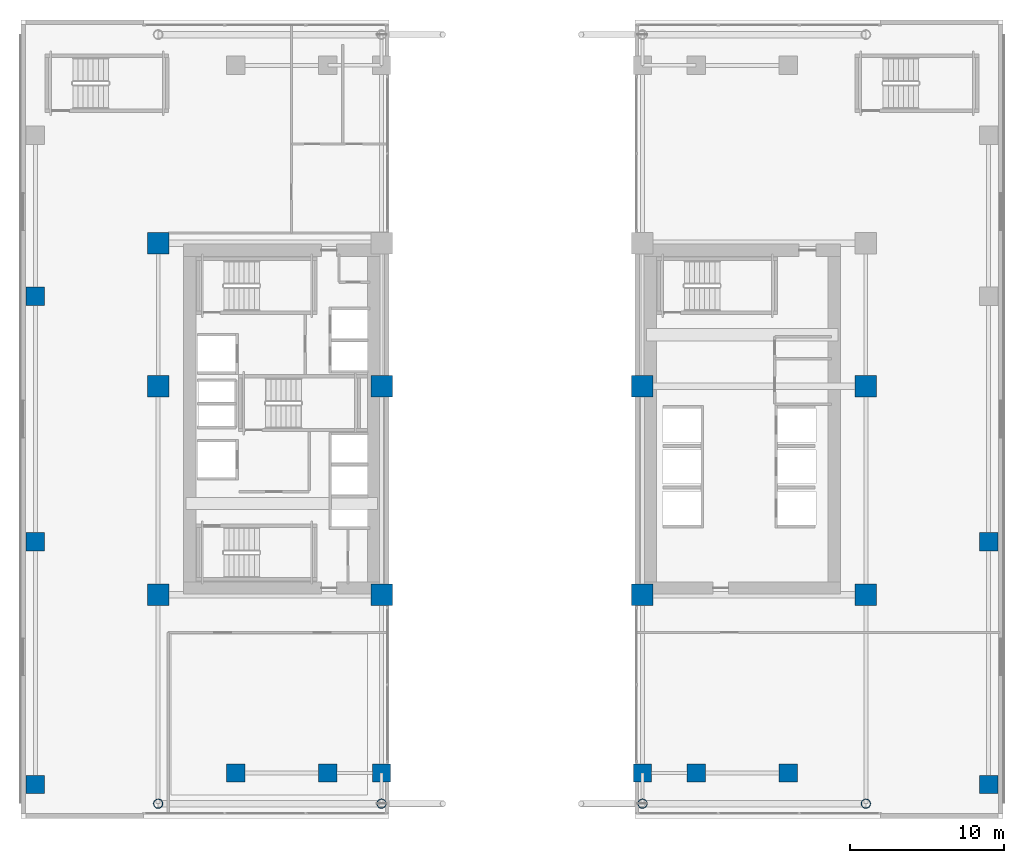
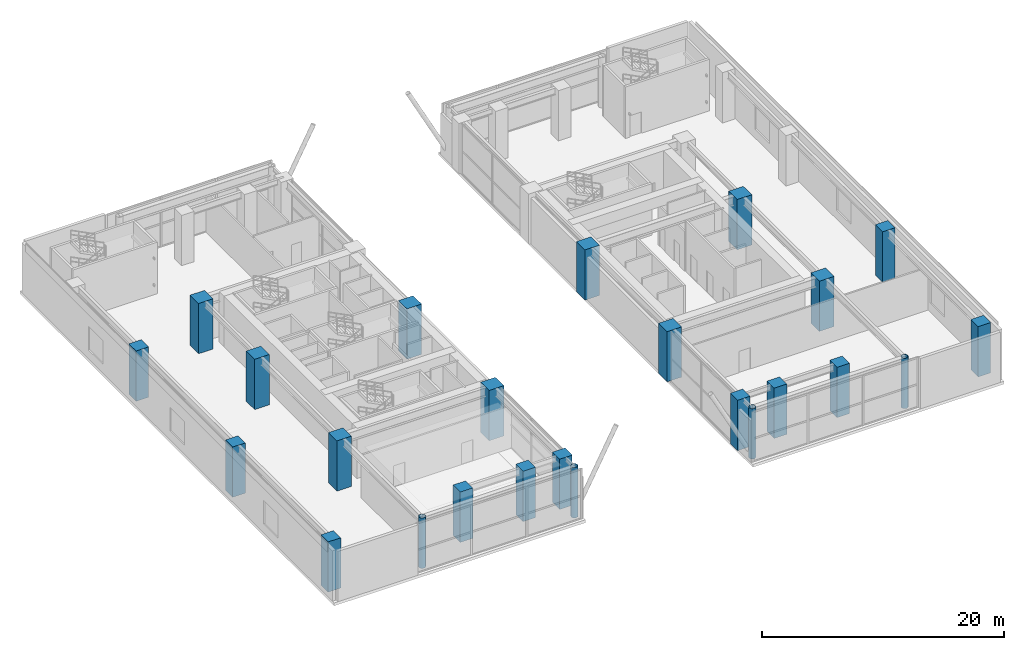
# One storey, part 1 of 29: 24 columns.
"""IFC4 building model written with IfcOpenShell, lengths in metres."""

import ifcopenshell
import ifcopenshell.guid

model = None  # the IFC model being written
_history = None  # IfcOwnerHistory: only IFC2X3 demands one
_inside = {}  # id of a spatial element -> (the spatial element, [elements in it])
_under = {}  # id of a project, library or spatial element -> (it, [spatial elements below it])
_declared = {}  # id of a project -> (the project, [libraries it declares])
_typed = {}  # id of a type object -> (the type object, [elements of that type])
_made_of = {}  # id of a material, layer set ... -> (it, [elements and type objects made of it])


def new_model(schema):
    """Start an empty IFC model of exactly this schema.

    Asked for "IFC4X3", IfcOpenShell would pick the latest addendum, in which some entities
    have other attributes; the version numbers below select the first issue.
    IFC2X3 requires an IfcOwnerHistory on every rooted entity: one is made here for all.
    """
    global model, _history
    if schema == "IFC4X3":
        model = ifcopenshell.file(schema_version=(4, 3, 0, 0))
    else:
        model = ifcopenshell.file(schema=schema)
    _inside.clear()
    _under.clear()
    _declared.clear()
    _typed.clear()
    _made_of.clear()
    _history = None
    if model.schema == "IFC2X3":
        org = make("IfcOrganization", Name="unknown")
        user = make(
            "IfcPersonAndOrganization",
            ThePerson=make("IfcPerson", FamilyName="unknown"),
            TheOrganization=org,
        )
        app = make(
            "IfcApplication",
            ApplicationDeveloper=org,
            Version="unknown",
            ApplicationFullName="unknown",
            ApplicationIdentifier="unknown",
        )
        _history = make(
            "IfcOwnerHistory",
            OwningUser=user,
            OwningApplication=app,
            ChangeAction="ADDED",
            CreationDate=0,
        )
    return model


def make(cls, **values):
    """One entity of the class cls with the attributes given. An attribute that is None is left unset."""
    return model.create_entity(
        cls, **{name: value for name, value in values.items() if value is not None}
    )


def rooted(cls, **values):
    """An entity with a GlobalId (a new one), such as an element, a storey or a relation."""
    return make(cls, GlobalId=ifcopenshell.guid.new(), OwnerHistory=_history, **values)


def si_unit(unit_type, name, prefix=None):
    """IfcSIUnit, for example si_unit("LENGTHUNIT", "METRE", prefix="MILLI")."""
    return make("IfcSIUnit", UnitType=unit_type, Prefix=prefix, Name=name)


def assignment(units):
    """IfcUnitAssignment: the units of a project."""
    return None if units is None else make("IfcUnitAssignment", Units=units)


def point(xyz):
    """IfcCartesianPoint."""
    return None if xyz is None else make("IfcCartesianPoint", Coordinates=xyz)


def direction(xyz):
    """IfcDirection."""
    return None if xyz is None else make("IfcDirection", DirectionRatios=xyz)


def frame(location, z_axis=None, x_axis=None):
    """IfcAxis2Placement3D, a coordinate frame: its origin and axes. An axis left out is left unset."""
    return make(
        "IfcAxis2Placement3D",
        Location=point(location),
        Axis=direction(z_axis),
        RefDirection=direction(x_axis),
    )


def frame_2d(location, x_axis=None):
    """IfcAxis2Placement2D, a coordinate frame in the plane: its origin and x axis."""
    return make(
        "IfcAxis2Placement2D", Location=point(location), RefDirection=direction(x_axis)
    )


def origin():
    """The frame at (0, 0, 0) with its axes left unset."""
    return frame((0.0, 0.0, 0.0))


def origin_2d():
    """The frame at (0, 0) in the plane with its x axis left unset."""
    return frame_2d((0.0, 0.0))


def place(relative_to, where):
    """IfcLocalPlacement: puts the frame where relative to a parent placement (None: the world)."""
    return make(
        "IfcLocalPlacement", PlacementRelTo=relative_to, RelativePlacement=where
    )


def context(
    kind, dimensions, precision=None, world=None, true_north=None, identifier=None
):
    """IfcGeometricRepresentationContext, for example the 3D "Model" context."""
    return make(
        "IfcGeometricRepresentationContext",
        ContextIdentifier=identifier,
        ContextType=kind,
        CoordinateSpaceDimension=dimensions,
        Precision=precision,
        WorldCoordinateSystem=world,
        TrueNorth=true_north,
    )


def subcontext(parent, identifier, kind, view, scale=None):
    """IfcGeometricRepresentationSubContext, for example "Body" below "Model"."""
    return make(
        "IfcGeometricRepresentationSubContext",
        ContextIdentifier=identifier,
        ContextType=kind,
        ParentContext=parent,
        TargetScale=scale,
        TargetView=view,
    )


def project(units=None, contexts=None):
    """IfcProject with its units and contexts."""
    return rooted(
        "IfcProject",
        Name="project",
        RepresentationContexts=contexts,
        UnitsInContext=assignment(units),
    )


def spatial(cls, under=None, at=None, **own):
    """A site, building, storey or space (cls), placed at a placement, below another one or the project."""
    s = rooted(cls, ObjectPlacement=at, **own)
    if under is not None:
        _under.setdefault(under.id(), (under, []))[1].append(s)
    return s


def profile(cls, at=None, kind="AREA", **sizes):
    """A parametric profile (cls). Its sizes go by their IFC names, for example OverallWidth=200.0."""
    return make(cls, ProfileType=kind, Position=at, **sizes)


def rectangle(**sizes):
    """IfcRectangleProfileDef."""
    return profile("IfcRectangleProfileDef", **sizes)


def hollow_circle(**sizes):
    """IfcCircleHollowProfileDef."""
    return profile("IfcCircleHollowProfileDef", **sizes)


def extrude(swept, where, along, depth):
    """IfcExtrudedAreaSolid: the profile swept, set in the frame where, extruded along a direction by depth."""
    return make(
        "IfcExtrudedAreaSolid",
        SweptArea=swept,
        Position=where,
        ExtrudedDirection=direction(along),
        Depth=depth,
    )


def shape(context_of_items, identifier, shape_type, items):
    """IfcShapeRepresentation: the items that make up one representation, for example the "Body"."""
    return make(
        "IfcShapeRepresentation",
        ContextOfItems=context_of_items,
        RepresentationIdentifier=identifier,
        RepresentationType=shape_type,
        Items=items,
    )


def source(mapping_origin, context_of_items, identifier, shape_type, items):
    """IfcRepresentationMap: a shape defined once, which mapped items show again and again."""
    return make(
        "IfcRepresentationMap",
        MappingOrigin=mapping_origin,
        MappedRepresentation=shape(context_of_items, identifier, shape_type, items),
    )


def transform(
    local_origin,
    x_axis=None,
    y_axis=None,
    z_axis=None,
    scale=None,
    scale2=None,
    scale3=None,
    uniform=True,
):
    """IfcCartesianTransformationOperator3D, or its non-uniform kind. x_axis, y_axis, z_axis: its Axis1, 2, 3."""
    if uniform:
        return make(
            "IfcCartesianTransformationOperator3D",
            Axis1=direction(x_axis),
            Axis2=direction(y_axis),
            LocalOrigin=point(local_origin),
            Scale=scale,
            Axis3=direction(z_axis),
        )
    return make(
        "IfcCartesianTransformationOperator3DnonUniform",
        Axis1=direction(x_axis),
        Axis2=direction(y_axis),
        LocalOrigin=point(local_origin),
        Scale=scale,
        Axis3=direction(z_axis),
        Scale2=scale2,
        Scale3=scale3,
    )


def mapped(mapping_source, mapping_target):
    """IfcMappedItem: shows the shape of a source again, moved by a transform."""
    return make(
        "IfcMappedItem", MappingSource=mapping_source, MappingTarget=mapping_target
    )


def material(Name=None, Category=None):
    """IfcMaterial."""
    return make("IfcMaterial", Name=Name, Category=Category)


def material_profile(
    of_material, cross_section, Name=None, Category=None, Priority=None
):
    """IfcMaterialProfile: a cross section and its material."""
    return make(
        "IfcMaterialProfile",
        Name=Name,
        Material=of_material,
        Profile=cross_section,
        Priority=Priority,
        Category=Category,
    )


def profile_set(profiles, Name=None, composite=None):
    """IfcMaterialProfileSet."""
    return make(
        "IfcMaterialProfileSet",
        Name=Name,
        MaterialProfiles=profiles,
        CompositeProfile=composite,
    )


def made_of(thing, what):
    """Note that an element or type object is made of a material, layer set ...; save() writes the relation."""
    if what is not None:
        _made_of.setdefault(what.id(), (what, []))[1].append(thing)
    return thing


def type_object(cls, material=None, **own):
    """A type object (cls), such as IfcWallType, which elements share."""
    return made_of(rooted(cls, **own), material)


def element(
    cls,
    number,
    at=None,
    inside=None,
    cuts=None,
    type_object=None,
    material=None,
    context=None,
    identifier="Body",
    shape_type=None,
    held_by="IfcProductDefinitionShape",
    body=None,
    shapes=None,
    **own,
):
    """One element of the class cls, such as IfcWall. Its Tag is "e" and its number.

    at: its placement. inside: the storey or other place that contains it. cuts: it is an
    opening in that element (IfcRelVoidsElement). A single representation is given by context,
    identifier, shape_type and body (its items); several are given by shapes. held_by: the class
    of the entity that holds the representations. save() writes the other relations.
    """
    e = rooted(cls, Tag="e%d" % number, ObjectPlacement=at, **own)
    if body is not None:
        shapes = [shape(context, identifier, shape_type, body)]
    if shapes is not None:
        e.Representation = make(held_by, Representations=shapes)
    if inside is not None:
        _inside.setdefault(inside.id(), (inside, []))[1].append(e)
    if cuts is not None:
        rooted(
            "IfcRelVoidsElement", RelatingBuildingElement=cuts, RelatedOpeningElement=e
        )
    if type_object is not None:
        _typed.setdefault(type_object.id(), (type_object, []))[1].append(e)
    return made_of(e, material)


def aggregate(whole, parts):
    """IfcRelAggregates: a whole, such as a stair, and the parts it consists of."""
    return rooted("IfcRelAggregates", RelatingObject=whole, RelatedObjects=parts)


def save(model, path):
    """Write the relations noted so far, then the file.

    IfcRelAggregates (storeys below a building ...), IfcRelContainedInSpatialStructure (elements
    in a storey), IfcRelDefinesByType, IfcRelAssociatesMaterial and IfcRelDeclares: one each for
    every whole, place, type object, material and project.
    """
    for whole, parts in _under.values():
        aggregate(whole, parts)
    for where, things in _inside.values():
        rooted(
            "IfcRelContainedInSpatialStructure",
            RelatedElements=things,
            RelatingStructure=where,
        )
    for kind, things in _typed.values():
        rooted("IfcRelDefinesByType", RelatedObjects=things, RelatingType=kind)
    for what, things in _made_of.values():
        rooted("IfcRelAssociatesMaterial", RelatedObjects=things, RelatingMaterial=what)
    for by, libraries in _declared.values():
        rooted("IfcRelDeclares", RelatingContext=by, RelatedDefinitions=libraries)
    model.write(path)


model = new_model("IFC4")

# Units and contexts
model_context = context("Model", 3, precision=1e-05, world=origin(), true_north=direction((0.0, 1.0)))
body_context = subcontext(model_context, "Body", "Model", "MODEL_VIEW")
ifc_project = project(units=[si_unit("LENGTHUNIT", "METRE"), si_unit("AREAUNIT", "SQUARE_METRE"), si_unit("VOLUMEUNIT", "CUBIC_METRE"), si_unit("PLANEANGLEUNIT", "RADIAN"), si_unit("MASSUNIT", "GRAM", prefix="KILO")], contexts=[model_context])

# Site, building, storey
site_placement = place(None, origin())
site = spatial("IfcSite", under=ifc_project, at=site_placement, CompositionType="ELEMENT")
building_placement = place(site_placement, origin())
building = spatial("IfcBuilding", under=site, at=building_placement, Name="Ocotamira Hotel", CompositionType="ELEMENT")
storey_placement = place(building_placement, frame((0.0, 0.0, 6.0)))
storey = spatial("IfcBuildingStorey", under=building, at=storey_placement, Name="L02", CompositionType="ELEMENT", Elevation=6.0)

# Columns
ifc_material_1 = material(Name="Concrete C60/75", Category="concrete")
ifc_material_profile_1 = material_profile(ifc_material_1, rectangle(XDim=1.199951171875, YDim=1.199951171875, at=origin_2d()), Name="RC1200X1200")
ifc_profile_set_1 = profile_set([ifc_material_profile_1], Name="Concrete C60/75")
column_type_1 = type_object("IfcColumnType", Name="COL-RC1200", PredefinedType="COLUMN", material=ifc_profile_set_1)
shared_shape_1 = source(origin(), body_context, "Body", "SweptSolid", [
    extrude(rectangle(XDim=1.199951171875, YDim=1.199951171875, at=origin_2d()), origin(), (0.0, 0.0, 1.0), 5.080078125),
])
for number, where, z_axis, x_axis, name in (
    (1, (0.949951171875, 2.199951171875, 0.0), (0.0, 0.0, 1.0), (1.0, 0.0, 0.0), "L02 Column PW1"),
    (2, (63.050048828125, 2.199951171875, 0.0), (0.0, 0.0, 1.0), (1.0, 0.0, 0.0), "L02 Column PE1"),
    (3, (0.949951171875, 18.0, 0.0), (0.0, 0.0, 1.0), (1.0, 0.0, 0.0), "L02 Column PW2"),
    (4, (63.050048828125, 18.0, 0.0), (0.0, 0.0, 1.0), (1.0, 0.0, 0.0), "L02 Column PE2"),
    (5, (0.949951171875, 34.0, 0.0), (0.0, 0.0, 1.0), (1.0, 0.0, 0.0), "L02 Column PW3"),
    (6, (14.0, 2.949951171875, 0.0), (0.0, 0.0, 1.0), (1.0, 0.0, 0.0), "L02 Column NSP1_14"),
    (7, (20.0, 2.949951171875, 0.0), (0.0, 0.0, 1.0), (1.0, 0.0, 0.0), "L02 Column NSP1_20"),
    (8, (23.5, 2.949951171875, 0.0), (0.0, 0.0, 1.0), (1.0, 0.0, 0.0), "L02 Column NSP1_23"),
    (9, (40.5, 2.949951171875, 0.0), (0.0, 0.0, 1.0), (1.0, 0.0, 0.0), "L02 Column NSP1_40"),
    (10, (44.0, 2.949951171875, 0.0), (0.0, 0.0, 1.0), (1.0, 0.0, 0.0), "L02 Column NSP1_44"),
    (11, (50.0, 2.949951171875, 0.0), (0.0, 0.0, 1.0), (1.0, 0.0, 0.0), "L02 Column NSP1_50"),
):
    element("IfcColumn", number, at=place(storey_placement, frame(where, z_axis=z_axis, x_axis=x_axis)), inside=storey, type_object=column_type_1, Name=name, PredefinedType="COLUMN", context=body_context, shape_type="MappedRepresentation", body=[
        mapped(shared_shape_1, transform((0.0, 0.0, 0.0), scale=1.0)),
    ])
ifc_material_2 = material(Name="Steel ASTM A501 Grade B", Category="steel")
ifc_material_profile_2 = material_profile(ifc_material_2, hollow_circle(Radius=0.304931640625, WallThickness=0.02490234375, at=origin_2d()), Name="CHS610X25")
ifc_profile_set_2 = profile_set([ifc_material_profile_2], Name="Steel ASTM A501 Grade B")
column_type_2 = type_object("IfcColumnType", Name="COL-CHS610", PredefinedType="COLUMN", material=ifc_profile_set_2)
shared_shape_2 = source(origin(), body_context, "Body", "SweptSolid", [
    extrude(hollow_circle(Radius=0.304931640625, WallThickness=0.02490234375, at=origin_2d()), origin(), (0.0, 0.0, 1.0), 5.080078125),
])
for number, where, z_axis, x_axis, name in (
    (12, (8.949951171875, 0.949951171875, 0.0), (0.0, 0.0, 1.0), (1.0, 0.0, 0.0), "L02 Column PS1_1"),
    (13, (23.5, 0.949951171875, 0.0), (0.0, 0.0, 1.0), (1.0, 0.0, 0.0), "L02 Column PS1_2"),
    (14, (40.5, 0.949951171875, 0.0), (0.0, 0.0, 1.0), (1.0, 0.0, 0.0), "L02 Column PS1_3"),
    (15, (55.050048828125, 0.949951171875, 0.0), (0.0, 0.0, 1.0), (1.0, 0.0, 0.0), "L02 Column PS1_4"),
):
    element("IfcColumn", number, at=place(storey_placement, frame(where, z_axis=z_axis, x_axis=x_axis)), inside=storey, type_object=column_type_2, Name=name, PredefinedType="COLUMN", context=body_context, shape_type="MappedRepresentation", body=[
        mapped(shared_shape_2, transform((0.0, 0.0, 0.0), scale=1.0)),
    ])
ifc_material_profile_3 = material_profile(ifc_material_1, rectangle(XDim=1.39990234375, YDim=1.39990234375, at=origin_2d()), Name="RC1400X1400")
ifc_profile_set_3 = profile_set([ifc_material_profile_3], Name="Concrete C60/75")
column_type_3 = type_object("IfcColumnType", Name="COL-RC1400", PredefinedType="COLUMN", material=ifc_profile_set_3)
shared_shape_3 = source(origin(), body_context, "Body", "SweptSolid", [
    extrude(rectangle(XDim=1.39990234375, YDim=1.39990234375, at=origin_2d()), origin(), (0.0, 0.0, 1.0), 5.080078125),
])
for number, where, z_axis, x_axis, name in (
    (16, (8.949951171875, 14.550048828125, 0.0), (0.0, 0.0, 1.0), (1.0, 0.0, 0.0), "L02 Column TW8_14"),
    (17, (23.5, 14.550048828125, 0.0), (0.0, 0.0, 1.0), (1.0, 0.0, 0.0), "L02 Column TW23_14"),
    (18, (40.5, 14.550048828125, 0.0), (0.0, 0.0, 1.0), (1.0, 0.0, 0.0), "L02 Column TE40_14"),
    (19, (55.050048828125, 14.550048828125, 0.0), (0.0, 0.0, 1.0), (1.0, 0.0, 0.0), "L02 Column TE55_14"),
    (20, (8.949951171875, 28.14990234375, 0.0), (0.0, 0.0, 1.0), (1.0, 0.0, 0.0), "L02 Column TW8_28"),
    (21, (23.5, 28.14990234375, 0.0), (0.0, 0.0, 1.0), (1.0, 0.0, 0.0), "L02 Column TW23_28"),
    (22, (40.5, 28.14990234375, 0.0), (0.0, 0.0, 1.0), (1.0, 0.0, 0.0), "L02 Column TE40_28"),
    (23, (55.050048828125, 28.14990234375, 0.0), (0.0, 0.0, 1.0), (1.0, 0.0, 0.0), "L02 Column TE55_28"),
    (24, (8.949951171875, 37.449951171875, 0.0), (0.0, 0.0, 1.0), (1.0, 0.0, 0.0), "L02 Column TW8_37"),
):
    element("IfcColumn", number, at=place(storey_placement, frame(where, z_axis=z_axis, x_axis=x_axis)), inside=storey, type_object=column_type_3, Name=name, PredefinedType="COLUMN", context=body_context, shape_type="MappedRepresentation", body=[
        mapped(shared_shape_3, transform((0.0, 0.0, 0.0), scale=1.0)),
    ])

save(model, "model.ifc")
